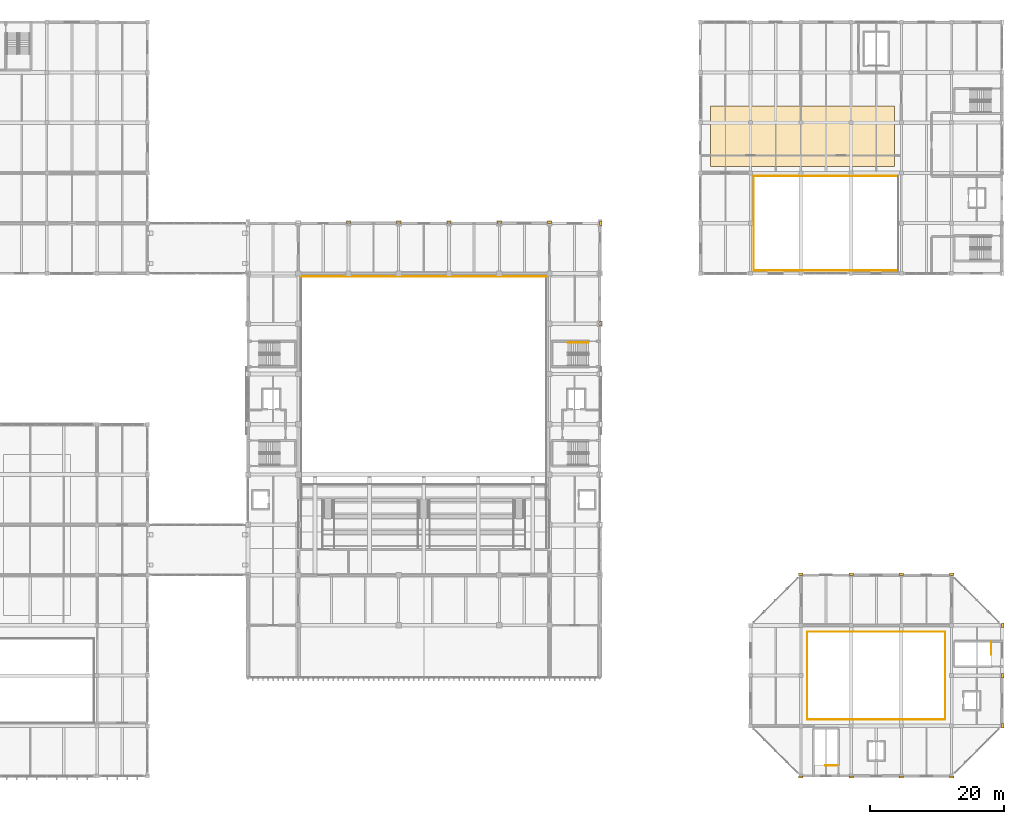
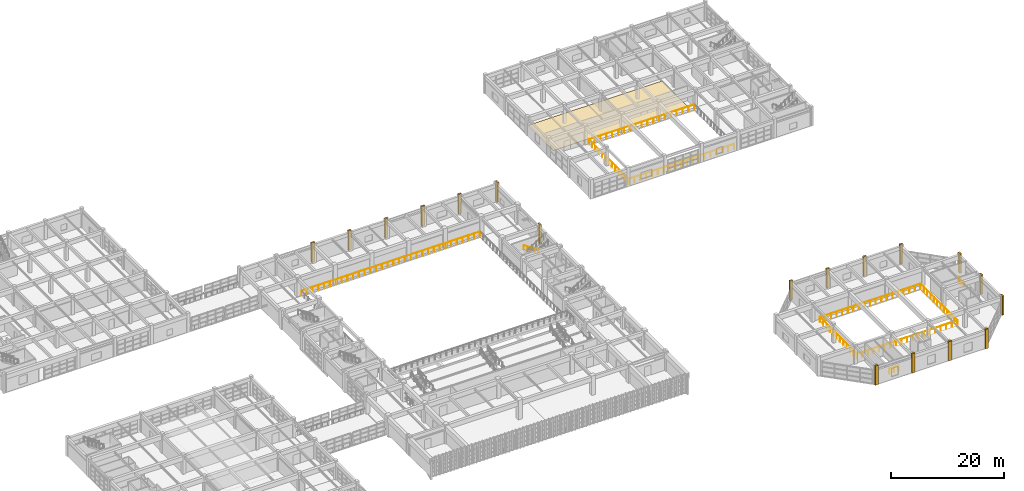
# One storey, part 122 of 124: 19 coverings, 11 railings.
"""IFC4 building model written with IfcOpenShell, lengths in metres."""

from ifc_helpers import new_model, si_unit, direction, frame, origin, origin_2d, place, context, subcontext, project, spatial, polyline, rectangle, circle, outline, extrude, material, layer, layer_set, type_object, element, save


model = new_model("IFC4")

# Units and contexts
model_context = context("Model", 3, precision=1e-05, world=origin(), true_north=direction((0.0, 1.0)))
body_context = subcontext(model_context, "Body", "Model", "MODEL_VIEW")
ifc_project = project(units=[si_unit("LENGTHUNIT", "METRE"), si_unit("AREAUNIT", "SQUARE_METRE"), si_unit("VOLUMEUNIT", "CUBIC_METRE"), si_unit("PLANEANGLEUNIT", "RADIAN"), si_unit("MASSUNIT", "GRAM", prefix="KILO")], contexts=[model_context])

# Site, building, storey
site_placement = place(None, origin())
site = spatial("IfcSite", under=ifc_project, at=site_placement, CompositionType="ELEMENT")
building_placement = place(site_placement, origin())
building = spatial("IfcBuilding", under=site, at=building_placement, Name="Qasida Concert Hall", CompositionType="ELEMENT")
storey_placement = place(building_placement, frame((0.0, 0.0, 9.0)))
storey = spatial("IfcBuildingStorey", under=building, at=storey_placement, Name="L02", CompositionType="ELEMENT", Elevation=9.0)

# Coverings
ifc_material_1 = material(Name="Quarter-sawn European oak stage and parterre flooring", Category="wood")
ifc_layer_1 = layer(ifc_material_1, 0.030029296875, Name="Quarter-sawn European oak stage and parterre flooring")
ifc_layer_set_1 = layer_set([ifc_layer_1], Name="Quarter-sawn European oak stage and parterre flooring")
covering_type_1 = type_object("IfcCoveringType", Name="CV-FL-1", PredefinedType="FLOORING", material=ifc_layer_set_1)
covering_placement = place(storey_placement, origin())
element("IfcCovering", 1, at=covering_placement, inside=storey, type_object=covering_type_1, Name="L02 acoustic timber flooring 06", PredefinedType="FLOORING", context=body_context, shape_type="SweptSolid", body=[
    extrude(outline(polyline([(121.5, 91.0), (149.0, 91.0), (149.0, 100.0), (121.5, 100.0), (121.5, 91.0)])), origin(), (0.0, 0.0, 1.0), 0.030029296875),
])
ifc_material_2 = material(Name="Projecting fluted Lebanese limestone Art Deco pilaster", Category="masonry")
ifc_layer_2 = layer(ifc_material_2, 0.35009765625, Name="Projecting fluted Lebanese limestone Art Deco pilaster")
ifc_layer_set_2 = layer_set([ifc_layer_2], Name="Projecting fluted Lebanese limestone Art Deco pilaster")
covering_type_2 = type_object("IfcCoveringType", Name="CV-PIL-650", PredefinedType="CLADDING", material=ifc_layer_set_2)
for number, where, z_axis, x_axis, name in (
    (2, (105.135009765625, 67.5, 0.0), (0.0, 0.0, 1.0), (1.0, 0.0, 0.0), "L02 fluted limestone pilaster 0080"),
    (3, (105.135009765625, 82.5, 0.0), (0.0, 0.0, 1.0), (1.0, 0.0, 0.0), "L02 fluted limestone pilaster 0094"),
):
    element("IfcCovering", number, at=place(storey_placement, frame(where, z_axis=z_axis, x_axis=x_axis)), inside=storey, type_object=covering_type_2, Name=name, PredefinedType="CLADDING", context=body_context, shape_type="SweptSolid", body=[
        extrude(rectangle(XDim=0.35009765625, YDim=0.64990234375, at=origin_2d()), origin(), (0.0, 0.0, 1.0), 4.199951171875),
    ])
for number, where, z_axis, x_axis, name in (
    (4, (67.5, 82.635009765625, 0.0), (0.0, 0.0, 1.0), (1.0, 0.0, 0.0), "L02 fluted limestone pilaster 0108"),
    (5, (75.0, 82.635009765625, 0.0), (0.0, 0.0, 1.0), (1.0, 0.0, 0.0), "L02 fluted limestone pilaster 0115"),
    (6, (82.5, 82.635009765625, 0.0), (0.0, 0.0, 1.0), (1.0, 0.0, 0.0), "L02 fluted limestone pilaster 0122"),
    (7, (90.0, 82.635009765625, 0.0), (0.0, 0.0, 1.0), (1.0, 0.0, 0.0), "L02 fluted limestone pilaster 0129"),
    (8, (97.5, 82.635009765625, 0.0), (0.0, 0.0, 1.0), (1.0, 0.0, 0.0), "L02 fluted limestone pilaster 0136"),
    (9, (135.0, -0.135009765625, 0.0), (0.0, 0.0, 1.0), (1.0, 0.0, 0.0), "L02 fluted limestone pilaster 0193"),
    (10, (135.0, 30.135009765625, 0.0), (0.0, 0.0, 1.0), (1.0, 0.0, 0.0), "L02 fluted limestone pilaster 0197"),
    (11, (142.5, -0.135009765625, 0.0), (0.0, 0.0, 1.0), (1.0, 0.0, 0.0), "L02 fluted limestone pilaster 0201"),
    (12, (142.5, 30.135009765625, 0.0), (0.0, 0.0, 1.0), (1.0, 0.0, 0.0), "L02 fluted limestone pilaster 0205"),
    (13, (150.0, -0.135009765625, 0.0), (0.0, 0.0, 1.0), (1.0, 0.0, 0.0), "L02 fluted limestone pilaster 0209"),
    (14, (150.0, 30.135009765625, 0.0), (0.0, 0.0, 1.0), (1.0, 0.0, 0.0), "L02 fluted limestone pilaster 0213"),
    (15, (157.5, -0.135009765625, 0.0), (0.0, 0.0, 1.0), (1.0, 0.0, 0.0), "L02 fluted limestone pilaster 0217"),
    (16, (157.5, 30.135009765625, 0.0), (0.0, 0.0, 1.0), (1.0, 0.0, 0.0), "L02 fluted limestone pilaster 0221"),
):
    element("IfcCovering", number, at=place(storey_placement, frame(where, z_axis=z_axis, x_axis=x_axis)), inside=storey, type_object=covering_type_2, Name=name, PredefinedType="CLADDING", context=body_context, shape_type="SweptSolid", body=[
        extrude(rectangle(XDim=0.64990234375, YDim=0.35009765625, at=origin_2d()), origin(), (0.0, 0.0, 1.0), 4.199951171875),
    ])
for number, where, z_axis, x_axis, name in (
    (17, (165.135009765625, 7.5, 0.0), (0.0, 0.0, 1.0), (1.0, 0.0, 0.0), "L02 fluted limestone pilaster 0225"),
    (18, (165.135009765625, 15.0, 0.0), (0.0, 0.0, 1.0), (1.0, 0.0, 0.0), "L02 fluted limestone pilaster 0229"),
    (19, (165.135009765625, 22.5, 0.0), (0.0, 0.0, 1.0), (1.0, 0.0, 0.0), "L02 fluted limestone pilaster 0233"),
):
    element("IfcCovering", number, at=place(storey_placement, frame(where, z_axis=z_axis, x_axis=x_axis)), inside=storey, type_object=covering_type_2, Name=name, PredefinedType="CLADDING", context=body_context, shape_type="SweptSolid", body=[
        extrude(rectangle(XDim=0.35009765625, YDim=0.64990234375, at=origin_2d()), origin(), (0.0, 0.0, 1.0), 4.199951171875),
    ])

# Railings
ifc_material_3 = material(Name="Carved Lebanese limestone and bronze top rail", Category="masonry")
ifc_layer_3 = layer(ifc_material_3, 0.10009765625, Name="Carved Lebanese limestone and bronze top rail")
ifc_layer_set_3 = layer_set([ifc_layer_3], Name="Carved Lebanese limestone and bronze top rail")
railing_type_1 = type_object("IfcRailingType", Name="RL-BAL-1100", PredefinedType="BALUSTRADE", material=ifc_layer_set_3)
railing_1_placement = place(storey_placement, frame((135.9599609375, 8.4599609375, 0.0)))
element("IfcRailing", 20, at=railing_1_placement, inside=storey, type_object=railing_type_1, Name="L02 Chamber balcony balustrade 0050", PredefinedType="BALUSTRADE", context=body_context, shape_type="SweptSolid", body=[
    extrude(circle(Radius=0.02392578125, at=origin_2d()), frame((0.0, 0.0, 1.09619140625), z_axis=(1.0, 0.0, 0.0), x_axis=(0.0, 1.0, 0.0)), (0.0, 0.0, 1.0), 20.580078125),
    extrude(circle(Radius=0.02099609375, at=origin_2d()), origin(), (0.0, 0.0, 1.0), 1.072021484375),
    extrude(circle(Radius=0.02099609375, at=origin_2d()), frame((1.143310546875, 0.0, 0.0)), (0.0, 0.0, 1.0), 1.072021484375),
    extrude(circle(Radius=0.02099609375, at=origin_2d()), frame((2.28662109375, 0.0, 0.0)), (0.0, 0.0, 1.0), 1.072021484375),
    extrude(circle(Radius=0.02099609375, at=origin_2d()), frame((3.429931640625, 0.0, 0.0)), (0.0, 0.0, 1.0), 1.072021484375),
    extrude(circle(Radius=0.02099609375, at=origin_2d()), frame((4.5732421875, 0.0, 0.0)), (0.0, 0.0, 1.0), 1.072021484375),
    extrude(circle(Radius=0.02099609375, at=origin_2d()), frame((5.716796875, 0.0, 0.0)), (0.0, 0.0, 1.0), 1.072021484375),
    extrude(circle(Radius=0.02099609375, at=origin_2d()), frame((6.860107421875, 0.0, 0.0)), (0.0, 0.0, 1.0), 1.072021484375),
    extrude(circle(Radius=0.02099609375, at=origin_2d()), frame((8.00341796875, 0.0, 0.0)), (0.0, 0.0, 1.0), 1.072021484375),
    extrude(circle(Radius=0.02099609375, at=origin_2d()), frame((9.146728515625, 0.0, 0.0)), (0.0, 0.0, 1.0), 1.072021484375),
    extrude(circle(Radius=0.02099609375, at=origin_2d()), frame((10.2900390625, 0.0, 0.0)), (0.0, 0.0, 1.0), 1.072021484375),
    extrude(circle(Radius=0.02099609375, at=origin_2d()), frame((11.433349609375, 0.0, 0.0)), (0.0, 0.0, 1.0), 1.072021484375),
    extrude(circle(Radius=0.02099609375, at=origin_2d()), frame((12.57666015625, 0.0, 0.0)), (0.0, 0.0, 1.0), 1.072021484375),
    extrude(circle(Radius=0.02099609375, at=origin_2d()), frame((13.719970703125, 0.0, 0.0)), (0.0, 0.0, 1.0), 1.072021484375),
    extrude(circle(Radius=0.02099609375, at=origin_2d()), frame((14.86328125, 0.0, 0.0)), (0.0, 0.0, 1.0), 1.072021484375),
    extrude(circle(Radius=0.02099609375, at=origin_2d()), frame((16.0068359375, 0.0, 0.0)), (0.0, 0.0, 1.0), 1.072021484375),
    extrude(circle(Radius=0.02099609375, at=origin_2d()), frame((17.150146484375, 0.0, 0.0)), (0.0, 0.0, 1.0), 1.072021484375),
    extrude(circle(Radius=0.02099609375, at=origin_2d()), frame((18.29345703125, 0.0, 0.0)), (0.0, 0.0, 1.0), 1.072021484375),
    extrude(circle(Radius=0.02099609375, at=origin_2d()), frame((19.436767578125, 0.0, 0.0)), (0.0, 0.0, 1.0), 1.072021484375),
    extrude(circle(Radius=0.02099609375, at=origin_2d()), frame((20.580078125, 0.0, 0.0)), (0.0, 0.0, 1.0), 1.072021484375),
])
railing_2_placement = place(storey_placement, frame((156.5400390625, 8.4599609375, 0.0)))
element("IfcRailing", 21, at=railing_2_placement, inside=storey, type_object=railing_type_1, Name="L02 Chamber balcony balustrade 0051", PredefinedType="BALUSTRADE", context=body_context, shape_type="SweptSolid", body=[
    extrude(circle(Radius=0.02392578125, at=origin_2d()), frame((0.0, 0.0, 1.09619140625), z_axis=(0.0, 1.0, 0.0), x_axis=(-1.0, 0.0, 0.0)), (0.0, 0.0, 1.0), 13.080078125),
    extrude(circle(Radius=0.02099609375, at=origin_2d()), origin(), (0.0, 0.0, 1.0), 1.072021484375),
    extrude(circle(Radius=0.02099609375, at=origin_2d()), frame((0.0, 1.189208984375, 0.0)), (0.0, 0.0, 1.0), 1.072021484375),
    extrude(circle(Radius=0.02099609375, at=origin_2d()), frame((0.0, 2.378173828125, 0.0)), (0.0, 0.0, 1.0), 1.072021484375),
    extrude(circle(Radius=0.02099609375, at=origin_2d()), frame((0.0, 3.5673828125, 0.0)), (0.0, 0.0, 1.0), 1.072021484375),
    extrude(circle(Radius=0.02099609375, at=origin_2d()), frame((0.0, 4.75634765625, 0.0)), (0.0, 0.0, 1.0), 1.072021484375),
    extrude(circle(Radius=0.02099609375, at=origin_2d()), frame((0.0, 5.945556640625, 0.0)), (0.0, 0.0, 1.0), 1.072021484375),
    extrude(circle(Radius=0.02099609375, at=origin_2d()), frame((0.0, 7.134521484375, 0.0)), (0.0, 0.0, 1.0), 1.072021484375),
    extrude(circle(Radius=0.02099609375, at=origin_2d()), frame((0.0, 8.32373046875, 0.0)), (0.0, 0.0, 1.0), 1.072021484375),
    extrude(circle(Radius=0.02099609375, at=origin_2d()), frame((0.0, 9.5126953125, 0.0)), (0.0, 0.0, 1.0), 1.072021484375),
    extrude(circle(Radius=0.02099609375, at=origin_2d()), frame((0.0, 10.701904296875, 0.0)), (0.0, 0.0, 1.0), 1.072021484375),
    extrude(circle(Radius=0.02099609375, at=origin_2d()), frame((0.0, 11.890869140625, 0.0)), (0.0, 0.0, 1.0), 1.072021484375),
    extrude(circle(Radius=0.02099609375, at=origin_2d()), frame((0.0, 13.080078125, 0.0)), (0.0, 0.0, 1.0), 1.072021484375),
])
railing_3_placement = place(storey_placement, frame((156.5400390625, 21.5400390625, 0.0)))
element("IfcRailing", 22, at=railing_3_placement, inside=storey, type_object=railing_type_1, Name="L02 Chamber balcony balustrade 0052", PredefinedType="BALUSTRADE", context=body_context, shape_type="SweptSolid", body=[
    extrude(circle(Radius=0.02392578125, at=origin_2d()), frame((0.0, 0.0, 1.09619140625), z_axis=(-1.0, 0.0, 0.0), x_axis=(0.0, -1.0, 0.0)), (0.0, 0.0, 1.0), 20.580078125),
    extrude(circle(Radius=0.02099609375, at=origin_2d()), origin(), (0.0, 0.0, 1.0), 1.072021484375),
    extrude(circle(Radius=0.02099609375, at=origin_2d()), frame((-1.143310546875, 0.0, 0.0)), (0.0, 0.0, 1.0), 1.072021484375),
    extrude(circle(Radius=0.02099609375, at=origin_2d()), frame((-2.28662109375, 0.0, 0.0)), (0.0, 0.0, 1.0), 1.072021484375),
    extrude(circle(Radius=0.02099609375, at=origin_2d()), frame((-3.429931640625, 0.0, 0.0)), (0.0, 0.0, 1.0), 1.072021484375),
    extrude(circle(Radius=0.02099609375, at=origin_2d()), frame((-4.5732421875, 0.0, 0.0)), (0.0, 0.0, 1.0), 1.072021484375),
    extrude(circle(Radius=0.02099609375, at=origin_2d()), frame((-5.716796875, 0.0, 0.0)), (0.0, 0.0, 1.0), 1.072021484375),
    extrude(circle(Radius=0.02099609375, at=origin_2d()), frame((-6.860107421875, 0.0, 0.0)), (0.0, 0.0, 1.0), 1.072021484375),
    extrude(circle(Radius=0.02099609375, at=origin_2d()), frame((-8.00341796875, 0.0, 0.0)), (0.0, 0.0, 1.0), 1.072021484375),
    extrude(circle(Radius=0.02099609375, at=origin_2d()), frame((-9.146728515625, 0.0, 0.0)), (0.0, 0.0, 1.0), 1.072021484375),
    extrude(circle(Radius=0.02099609375, at=origin_2d()), frame((-10.2900390625, 0.0, 0.0)), (0.0, 0.0, 1.0), 1.072021484375),
    extrude(circle(Radius=0.02099609375, at=origin_2d()), frame((-11.433349609375, 0.0, 0.0)), (0.0, 0.0, 1.0), 1.072021484375),
    extrude(circle(Radius=0.02099609375, at=origin_2d()), frame((-12.57666015625, 0.0, 0.0)), (0.0, 0.0, 1.0), 1.072021484375),
    extrude(circle(Radius=0.02099609375, at=origin_2d()), frame((-13.719970703125, 0.0, 0.0)), (0.0, 0.0, 1.0), 1.072021484375),
    extrude(circle(Radius=0.02099609375, at=origin_2d()), frame((-14.86328125, 0.0, 0.0)), (0.0, 0.0, 1.0), 1.072021484375),
    extrude(circle(Radius=0.02099609375, at=origin_2d()), frame((-16.0068359375, 0.0, 0.0)), (0.0, 0.0, 1.0), 1.072021484375),
    extrude(circle(Radius=0.02099609375, at=origin_2d()), frame((-17.150146484375, 0.0, 0.0)), (0.0, 0.0, 1.0), 1.072021484375),
    extrude(circle(Radius=0.02099609375, at=origin_2d()), frame((-18.29345703125, 0.0, 0.0)), (0.0, 0.0, 1.0), 1.072021484375),
    extrude(circle(Radius=0.02099609375, at=origin_2d()), frame((-19.436767578125, 0.0, 0.0)), (0.0, 0.0, 1.0), 1.072021484375),
    extrude(circle(Radius=0.02099609375, at=origin_2d()), frame((-20.580078125, 0.0, 0.0)), (0.0, 0.0, 1.0), 1.072021484375),
])
railing_4_placement = place(storey_placement, frame((135.9599609375, 21.5400390625, 0.0)))
element("IfcRailing", 23, at=railing_4_placement, inside=storey, type_object=railing_type_1, Name="L02 Chamber balcony balustrade 0053", PredefinedType="BALUSTRADE", context=body_context, shape_type="SweptSolid", body=[
    extrude(circle(Radius=0.02392578125, at=origin_2d()), frame((0.0, 0.0, 1.09619140625), z_axis=(0.0, -1.0, 0.0), x_axis=(1.0, 0.0, 0.0)), (0.0, 0.0, 1.0), 13.080078125),
    extrude(circle(Radius=0.02099609375, at=origin_2d()), origin(), (0.0, 0.0, 1.0), 1.072021484375),
    extrude(circle(Radius=0.02099609375, at=origin_2d()), frame((0.0, -1.189208984375, 0.0)), (0.0, 0.0, 1.0), 1.072021484375),
    extrude(circle(Radius=0.02099609375, at=origin_2d()), frame((0.0, -2.378173828125, 0.0)), (0.0, 0.0, 1.0), 1.072021484375),
    extrude(circle(Radius=0.02099609375, at=origin_2d()), frame((0.0, -3.5673828125, 0.0)), (0.0, 0.0, 1.0), 1.072021484375),
    extrude(circle(Radius=0.02099609375, at=origin_2d()), frame((0.0, -4.75634765625, 0.0)), (0.0, 0.0, 1.0), 1.072021484375),
    extrude(circle(Radius=0.02099609375, at=origin_2d()), frame((0.0, -5.945556640625, 0.0)), (0.0, 0.0, 1.0), 1.072021484375),
    extrude(circle(Radius=0.02099609375, at=origin_2d()), frame((0.0, -7.134521484375, 0.0)), (0.0, 0.0, 1.0), 1.072021484375),
    extrude(circle(Radius=0.02099609375, at=origin_2d()), frame((0.0, -8.32373046875, 0.0)), (0.0, 0.0, 1.0), 1.072021484375),
    extrude(circle(Radius=0.02099609375, at=origin_2d()), frame((0.0, -9.5126953125, 0.0)), (0.0, 0.0, 1.0), 1.072021484375),
    extrude(circle(Radius=0.02099609375, at=origin_2d()), frame((0.0, -10.701904296875, 0.0)), (0.0, 0.0, 1.0), 1.072021484375),
    extrude(circle(Radius=0.02099609375, at=origin_2d()), frame((0.0, -11.890869140625, 0.0)), (0.0, 0.0, 1.0), 1.072021484375),
    extrude(circle(Radius=0.02099609375, at=origin_2d()), frame((0.0, -13.080078125, 0.0)), (0.0, 0.0, 1.0), 1.072021484375),
])
ifc_material_4 = material(Name="Patinated architectural bronze and laminated glass infill", Category="glass")
ifc_layer_4 = layer(ifc_material_4, 0.080078125, Name="Patinated architectural bronze and laminated glass infill")
ifc_layer_set_4 = layer_set([ifc_layer_4], Name="Patinated architectural bronze and laminated glass infill")
railing_type_2 = type_object("IfcRailingType", Name="RL-GRD-1100", PredefinedType="GUARDRAIL", material=ifc_layer_set_4)
railing_5_placement = place(storey_placement, frame((60.4599609375, 74.5400390625, 0.0)))
element("IfcRailing", 24, at=railing_5_placement, inside=storey, type_object=railing_type_2, Name="L02 Symphony L02 gallery guardrail 0089", PredefinedType="GUARDRAIL", context=body_context, shape_type="SweptSolid", body=[
    extrude(circle(Radius=0.02392578125, at=origin_2d()), frame((0.0, 0.0, 1.09619140625), z_axis=(1.0, 0.0, 0.0), x_axis=(0.0, 1.0, 0.0)), (0.0, 0.0, 1.0), 36.580078125),
    extrude(circle(Radius=0.02099609375, at=origin_2d()), origin(), (0.0, 0.0, 1.0), 1.072021484375),
    extrude(circle(Radius=0.02099609375, at=origin_2d()), frame((1.179931640625, 0.0, 0.0)), (0.0, 0.0, 1.0), 1.072021484375),
    extrude(circle(Radius=0.02099609375, at=origin_2d()), frame((2.360107421875, 0.0, 0.0)), (0.0, 0.0, 1.0), 1.072021484375),
    extrude(circle(Radius=0.02099609375, at=origin_2d()), frame((3.5400390625, 0.0, 0.0)), (0.0, 0.0, 1.0), 1.072021484375),
    extrude(circle(Radius=0.02099609375, at=origin_2d()), frame((4.719970703125, 0.0, 0.0)), (0.0, 0.0, 1.0), 1.072021484375),
    extrude(circle(Radius=0.02099609375, at=origin_2d()), frame((5.89990234375, 0.0, 0.0)), (0.0, 0.0, 1.0), 1.072021484375),
    extrude(circle(Radius=0.02099609375, at=origin_2d()), frame((7.080078125, 0.0, 0.0)), (0.0, 0.0, 1.0), 1.072021484375),
    extrude(circle(Radius=0.02099609375, at=origin_2d()), frame((8.260009765625, 0.0, 0.0)), (0.0, 0.0, 1.0), 1.072021484375),
    extrude(circle(Radius=0.02099609375, at=origin_2d()), frame((9.43994140625, 0.0, 0.0)), (0.0, 0.0, 1.0), 1.072021484375),
    extrude(circle(Radius=0.02099609375, at=origin_2d()), frame((10.6201171875, 0.0, 0.0)), (0.0, 0.0, 1.0), 1.072021484375),
    extrude(circle(Radius=0.02099609375, at=origin_2d()), frame((11.800048828125, 0.0, 0.0)), (0.0, 0.0, 1.0), 1.072021484375),
    extrude(circle(Radius=0.02099609375, at=origin_2d()), frame((12.97998046875, 0.0, 0.0)), (0.0, 0.0, 1.0), 1.072021484375),
    extrude(circle(Radius=0.02099609375, at=origin_2d()), frame((14.159912109375, 0.0, 0.0)), (0.0, 0.0, 1.0), 1.072021484375),
    extrude(circle(Radius=0.02099609375, at=origin_2d()), frame((15.340087890625, 0.0, 0.0)), (0.0, 0.0, 1.0), 1.072021484375),
    extrude(circle(Radius=0.02099609375, at=origin_2d()), frame((16.52001953125, 0.0, 0.0)), (0.0, 0.0, 1.0), 1.072021484375),
    extrude(circle(Radius=0.02099609375, at=origin_2d()), frame((17.699951171875, 0.0, 0.0)), (0.0, 0.0, 1.0), 1.072021484375),
    extrude(circle(Radius=0.02099609375, at=origin_2d()), frame((18.880126953125, 0.0, 0.0)), (0.0, 0.0, 1.0), 1.072021484375),
    extrude(circle(Radius=0.02099609375, at=origin_2d()), frame((20.06005859375, 0.0, 0.0)), (0.0, 0.0, 1.0), 1.072021484375),
    extrude(circle(Radius=0.02099609375, at=origin_2d()), frame((21.239990234375, 0.0, 0.0)), (0.0, 0.0, 1.0), 1.072021484375),
    extrude(circle(Radius=0.02099609375, at=origin_2d()), frame((22.420166015625, 0.0, 0.0)), (0.0, 0.0, 1.0), 1.072021484375),
    extrude(circle(Radius=0.02099609375, at=origin_2d()), frame((23.60009765625, 0.0, 0.0)), (0.0, 0.0, 1.0), 1.072021484375),
    extrude(circle(Radius=0.02099609375, at=origin_2d()), frame((24.780029296875, 0.0, 0.0)), (0.0, 0.0, 1.0), 1.072021484375),
    extrude(circle(Radius=0.02099609375, at=origin_2d()), frame((25.9599609375, 0.0, 0.0)), (0.0, 0.0, 1.0), 1.072021484375),
    extrude(circle(Radius=0.02099609375, at=origin_2d()), frame((27.14013671875, 0.0, 0.0)), (0.0, 0.0, 1.0), 1.072021484375),
    extrude(circle(Radius=0.02099609375, at=origin_2d()), frame((28.320068359375, 0.0, 0.0)), (0.0, 0.0, 1.0), 1.072021484375),
    extrude(circle(Radius=0.02099609375, at=origin_2d()), frame((29.5, 0.0, 0.0)), (0.0, 0.0, 1.0), 1.072021484375),
    extrude(circle(Radius=0.02099609375, at=origin_2d()), frame((30.68017578125, 0.0, 0.0)), (0.0, 0.0, 1.0), 1.072021484375),
    extrude(circle(Radius=0.02099609375, at=origin_2d()), frame((31.860107421875, 0.0, 0.0)), (0.0, 0.0, 1.0), 1.072021484375),
    extrude(circle(Radius=0.02099609375, at=origin_2d()), frame((33.0400390625, 0.0, 0.0)), (0.0, 0.0, 1.0), 1.072021484375),
    extrude(circle(Radius=0.02099609375, at=origin_2d()), frame((34.219970703125, 0.0, 0.0)), (0.0, 0.0, 1.0), 1.072021484375),
    extrude(circle(Radius=0.02099609375, at=origin_2d()), frame((35.400146484375, 0.0, 0.0)), (0.0, 0.0, 1.0), 1.072021484375),
    extrude(circle(Radius=0.02099609375, at=origin_2d()), frame((36.580078125, 0.0, 0.0)), (0.0, 0.0, 1.0), 1.072021484375),
])
railing_6_placement = place(storey_placement, frame((127.9599609375, 75.4599609375, 0.0)))
element("IfcRailing", 25, at=railing_6_placement, inside=storey, type_object=railing_type_2, Name="L02 Rehearsal void guardrail 0123", PredefinedType="GUARDRAIL", context=body_context, shape_type="SweptSolid", body=[
    extrude(circle(Radius=0.02392578125, at=origin_2d()), frame((0.0, 0.0, 1.09619140625), z_axis=(1.0, 0.0, 0.0), x_axis=(0.0, 1.0, 0.0)), (0.0, 0.0, 1.0), 21.580078125),
    extrude(circle(Radius=0.02099609375, at=origin_2d()), origin(), (0.0, 0.0, 1.0), 1.072021484375),
    extrude(circle(Radius=0.02099609375, at=origin_2d()), frame((1.198974609375, 0.0, 0.0)), (0.0, 0.0, 1.0), 1.072021484375),
    extrude(circle(Radius=0.02099609375, at=origin_2d()), frame((2.397705078125, 0.0, 0.0)), (0.0, 0.0, 1.0), 1.072021484375),
    extrude(circle(Radius=0.02099609375, at=origin_2d()), frame((3.5966796875, 0.0, 0.0)), (0.0, 0.0, 1.0), 1.072021484375),
    extrude(circle(Radius=0.02099609375, at=origin_2d()), frame((4.795654296875, 0.0, 0.0)), (0.0, 0.0, 1.0), 1.072021484375),
    extrude(circle(Radius=0.02099609375, at=origin_2d()), frame((5.994384765625, 0.0, 0.0)), (0.0, 0.0, 1.0), 1.072021484375),
    extrude(circle(Radius=0.02099609375, at=origin_2d()), frame((7.193359375, 0.0, 0.0)), (0.0, 0.0, 1.0), 1.072021484375),
    extrude(circle(Radius=0.02099609375, at=origin_2d()), frame((8.392333984375, 0.0, 0.0)), (0.0, 0.0, 1.0), 1.072021484375),
    extrude(circle(Radius=0.02099609375, at=origin_2d()), frame((9.591064453125, 0.0, 0.0)), (0.0, 0.0, 1.0), 1.072021484375),
    extrude(circle(Radius=0.02099609375, at=origin_2d()), frame((10.7900390625, 0.0, 0.0)), (0.0, 0.0, 1.0), 1.072021484375),
    extrude(circle(Radius=0.02099609375, at=origin_2d()), frame((11.989013671875, 0.0, 0.0)), (0.0, 0.0, 1.0), 1.072021484375),
    extrude(circle(Radius=0.02099609375, at=origin_2d()), frame((13.187744140625, 0.0, 0.0)), (0.0, 0.0, 1.0), 1.072021484375),
    extrude(circle(Radius=0.02099609375, at=origin_2d()), frame((14.38671875, 0.0, 0.0)), (0.0, 0.0, 1.0), 1.072021484375),
    extrude(circle(Radius=0.02099609375, at=origin_2d()), frame((15.585693359375, 0.0, 0.0)), (0.0, 0.0, 1.0), 1.072021484375),
    extrude(circle(Radius=0.02099609375, at=origin_2d()), frame((16.784423828125, 0.0, 0.0)), (0.0, 0.0, 1.0), 1.072021484375),
    extrude(circle(Radius=0.02099609375, at=origin_2d()), frame((17.9833984375, 0.0, 0.0)), (0.0, 0.0, 1.0), 1.072021484375),
    extrude(circle(Radius=0.02099609375, at=origin_2d()), frame((19.182373046875, 0.0, 0.0)), (0.0, 0.0, 1.0), 1.072021484375),
    extrude(circle(Radius=0.02099609375, at=origin_2d()), frame((20.381103515625, 0.0, 0.0)), (0.0, 0.0, 1.0), 1.072021484375),
    extrude(circle(Radius=0.02099609375, at=origin_2d()), frame((21.580078125, 0.0, 0.0)), (0.0, 0.0, 1.0), 1.072021484375),
])
railing_7_placement = place(storey_placement, frame((149.5400390625, 89.5400390625, 0.0)))
element("IfcRailing", 26, at=railing_7_placement, inside=storey, type_object=railing_type_2, Name="L02 Rehearsal void guardrail 0125", PredefinedType="GUARDRAIL", context=body_context, shape_type="SweptSolid", body=[
    extrude(circle(Radius=0.02392578125, at=origin_2d()), frame((0.0, 0.0, 1.09619140625), z_axis=(-1.0, 0.0, 0.0), x_axis=(0.0, -1.0, 0.0)), (0.0, 0.0, 1.0), 21.580078125),
    extrude(circle(Radius=0.02099609375, at=origin_2d()), origin(), (0.0, 0.0, 1.0), 1.072021484375),
    extrude(circle(Radius=0.02099609375, at=origin_2d()), frame((-1.198974609375, 0.0, 0.0)), (0.0, 0.0, 1.0), 1.072021484375),
    extrude(circle(Radius=0.02099609375, at=origin_2d()), frame((-2.397705078125, 0.0, 0.0)), (0.0, 0.0, 1.0), 1.072021484375),
    extrude(circle(Radius=0.02099609375, at=origin_2d()), frame((-3.5966796875, 0.0, 0.0)), (0.0, 0.0, 1.0), 1.072021484375),
    extrude(circle(Radius=0.02099609375, at=origin_2d()), frame((-4.795654296875, 0.0, 0.0)), (0.0, 0.0, 1.0), 1.072021484375),
    extrude(circle(Radius=0.02099609375, at=origin_2d()), frame((-5.994384765625, 0.0, 0.0)), (0.0, 0.0, 1.0), 1.072021484375),
    extrude(circle(Radius=0.02099609375, at=origin_2d()), frame((-7.193359375, 0.0, 0.0)), (0.0, 0.0, 1.0), 1.072021484375),
    extrude(circle(Radius=0.02099609375, at=origin_2d()), frame((-8.392333984375, 0.0, 0.0)), (0.0, 0.0, 1.0), 1.072021484375),
    extrude(circle(Radius=0.02099609375, at=origin_2d()), frame((-9.591064453125, 0.0, 0.0)), (0.0, 0.0, 1.0), 1.072021484375),
    extrude(circle(Radius=0.02099609375, at=origin_2d()), frame((-10.7900390625, 0.0, 0.0)), (0.0, 0.0, 1.0), 1.072021484375),
    extrude(circle(Radius=0.02099609375, at=origin_2d()), frame((-11.989013671875, 0.0, 0.0)), (0.0, 0.0, 1.0), 1.072021484375),
    extrude(circle(Radius=0.02099609375, at=origin_2d()), frame((-13.187744140625, 0.0, 0.0)), (0.0, 0.0, 1.0), 1.072021484375),
    extrude(circle(Radius=0.02099609375, at=origin_2d()), frame((-14.38671875, 0.0, 0.0)), (0.0, 0.0, 1.0), 1.072021484375),
    extrude(circle(Radius=0.02099609375, at=origin_2d()), frame((-15.585693359375, 0.0, 0.0)), (0.0, 0.0, 1.0), 1.072021484375),
    extrude(circle(Radius=0.02099609375, at=origin_2d()), frame((-16.784423828125, 0.0, 0.0)), (0.0, 0.0, 1.0), 1.072021484375),
    extrude(circle(Radius=0.02099609375, at=origin_2d()), frame((-17.9833984375, 0.0, 0.0)), (0.0, 0.0, 1.0), 1.072021484375),
    extrude(circle(Radius=0.02099609375, at=origin_2d()), frame((-19.182373046875, 0.0, 0.0)), (0.0, 0.0, 1.0), 1.072021484375),
    extrude(circle(Radius=0.02099609375, at=origin_2d()), frame((-20.381103515625, 0.0, 0.0)), (0.0, 0.0, 1.0), 1.072021484375),
    extrude(circle(Radius=0.02099609375, at=origin_2d()), frame((-21.580078125, 0.0, 0.0)), (0.0, 0.0, 1.0), 1.072021484375),
])
railing_8_placement = place(storey_placement, frame((127.9599609375, 89.5400390625, 0.0)))
element("IfcRailing", 27, at=railing_8_placement, inside=storey, type_object=railing_type_2, Name="L02 Rehearsal void guardrail 0126", PredefinedType="GUARDRAIL", context=body_context, shape_type="SweptSolid", body=[
    extrude(circle(Radius=0.02392578125, at=origin_2d()), frame((0.0, 0.0, 1.09619140625), z_axis=(0.0, -1.0, 0.0), x_axis=(1.0, 0.0, 0.0)), (0.0, 0.0, 1.0), 14.080078125),
    extrude(circle(Radius=0.02099609375, at=origin_2d()), origin(), (0.0, 0.0, 1.0), 1.072021484375),
    extrude(circle(Radius=0.02099609375, at=origin_2d()), frame((0.0, -1.17333984375, 0.0)), (0.0, 0.0, 1.0), 1.072021484375),
    extrude(circle(Radius=0.02099609375, at=origin_2d()), frame((0.0, -2.3466796875, 0.0)), (0.0, 0.0, 1.0), 1.072021484375),
    extrude(circle(Radius=0.02099609375, at=origin_2d()), frame((0.0, -3.52001953125, 0.0)), (0.0, 0.0, 1.0), 1.072021484375),
    extrude(circle(Radius=0.02099609375, at=origin_2d()), frame((0.0, -4.693359375, 0.0)), (0.0, 0.0, 1.0), 1.072021484375),
    extrude(circle(Radius=0.02099609375, at=origin_2d()), frame((0.0, -5.86669921875, 0.0)), (0.0, 0.0, 1.0), 1.072021484375),
    extrude(circle(Radius=0.02099609375, at=origin_2d()), frame((0.0, -7.0400390625, 0.0)), (0.0, 0.0, 1.0), 1.072021484375),
    extrude(circle(Radius=0.02099609375, at=origin_2d()), frame((0.0, -8.21337890625, 0.0)), (0.0, 0.0, 1.0), 1.072021484375),
    extrude(circle(Radius=0.02099609375, at=origin_2d()), frame((0.0, -9.38671875, 0.0)), (0.0, 0.0, 1.0), 1.072021484375),
    extrude(circle(Radius=0.02099609375, at=origin_2d()), frame((0.0, -10.56005859375, 0.0)), (0.0, 0.0, 1.0), 1.072021484375),
    extrude(circle(Radius=0.02099609375, at=origin_2d()), frame((0.0, -11.7333984375, 0.0)), (0.0, 0.0, 1.0), 1.072021484375),
    extrude(circle(Radius=0.02099609375, at=origin_2d()), frame((0.0, -12.90673828125, 0.0)), (0.0, 0.0, 1.0), 1.072021484375),
    extrude(circle(Radius=0.02099609375, at=origin_2d()), frame((0.0, -14.080078125, 0.0)), (0.0, 0.0, 1.0), 1.072021484375),
])
railing_9_placement = place(storey_placement, frame((140.5, 1.60009765625, 0.0)))
element("IfcRailing", 28, at=railing_9_placement, inside=storey, type_object=railing_type_2, Name="L02 ST-09 top well guard 1", PredefinedType="GUARDRAIL", context=body_context, shape_type="SweptSolid", body=[
    extrude(circle(Radius=0.02392578125, at=origin_2d()), frame((0.0, 0.0, 1.076171875), z_axis=(-1.0, 0.0, 0.0), x_axis=(0.0, -1.0, 0.0)), (0.0, 0.0, 1.0), 1.85009765625),
    extrude(circle(Radius=0.02099609375, at=origin_2d()), origin(), (0.0, 0.0, 1.0), 1.052001953125),
    extrude(circle(Radius=0.02099609375, at=origin_2d()), frame((-0.925048828125, 0.0, 0.0)), (0.0, 0.0, 1.0), 1.052001953125),
    extrude(circle(Radius=0.02099609375, at=origin_2d()), frame((-1.85009765625, 0.0, 0.0)), (0.0, 0.0, 1.0), 1.052001953125),
])
railing_10_placement = place(storey_placement, frame((163.39990234375, 20.0, 0.0)))
element("IfcRailing", 29, at=railing_10_placement, inside=storey, type_object=railing_type_2, Name="L02 ST-10 top well guard 1", PredefinedType="GUARDRAIL", context=body_context, shape_type="SweptSolid", body=[
    extrude(circle(Radius=0.02392578125, at=origin_2d()), frame((0.0, 0.0, 1.076171875), z_axis=(0.0, -1.0, 0.0), x_axis=(1.0, 0.0, 0.0)), (0.0, 0.0, 1.0), 1.85009765625),
    extrude(circle(Radius=0.02099609375, at=origin_2d()), origin(), (0.0, 0.0, 1.0), 1.052001953125),
    extrude(circle(Radius=0.02099609375, at=origin_2d()), frame((0.0, -0.925048828125, 0.0)), (0.0, 0.0, 1.0), 1.052001953125),
    extrude(circle(Radius=0.02099609375, at=origin_2d()), frame((0.0, -1.85009765625, 0.0)), (0.0, 0.0, 1.0), 1.052001953125),
])
ifc_material_5 = material(Name="Patinated tubular architectural bronze", Category="steel")
ifc_layer_5 = layer(ifc_material_5, 0.050048828125, Name="Patinated tubular architectural bronze")
ifc_layer_set_5 = layer_set([ifc_layer_5], Name="Patinated tubular architectural bronze")
railing_type_3 = type_object("IfcRailingType", Name="RL-HND-900", PredefinedType="HANDRAIL", material=ifc_layer_set_5)
railing_11_placement = place(storey_placement, frame((103.320068359375, 64.7099609375, 0.175048828125)))
element("IfcRailing", 30, at=railing_11_placement, inside=storey, type_object=railing_type_3, Name="L02 ST-12 stair handrail 1", PredefinedType="HANDRAIL", context=body_context, shape_type="SweptSolid", body=[
    extrude(circle(Radius=0.02392578125, at=origin_2d()), frame((0.0, 0.0, 0.8759765625), z_axis=(-0.847998304005, 0.0, 0.529998940003), x_axis=(0.0, -1.0, 0.0)), (0.0, 0.0, 1.0), 3.632080078125),
    extrude(circle(Radius=0.02099609375, at=origin_2d()), origin(), (0.0, 0.0, 1.0), 0.851806640625),
    extrude(circle(Radius=0.02099609375, at=origin_2d()), frame((-0.77001953125, 0.0, 0.481201171875)), (0.0, 0.0, 1.0), 0.851806640625),
    extrude(circle(Radius=0.02099609375, at=origin_2d()), frame((-1.5400390625, 0.0, 0.96240234375)), (0.0, 0.0, 1.0), 0.851806640625),
    extrude(circle(Radius=0.02099609375, at=origin_2d()), frame((-2.31005859375, 0.0, 1.44384765625)), (0.0, 0.0, 1.0), 0.851806640625),
    extrude(circle(Radius=0.02099609375, at=origin_2d()), frame((-3.080078125, 0.0, 1.925048828125)), (0.0, 0.0, 1.0), 0.851806640625),
])

save(model, "model.ifc")
